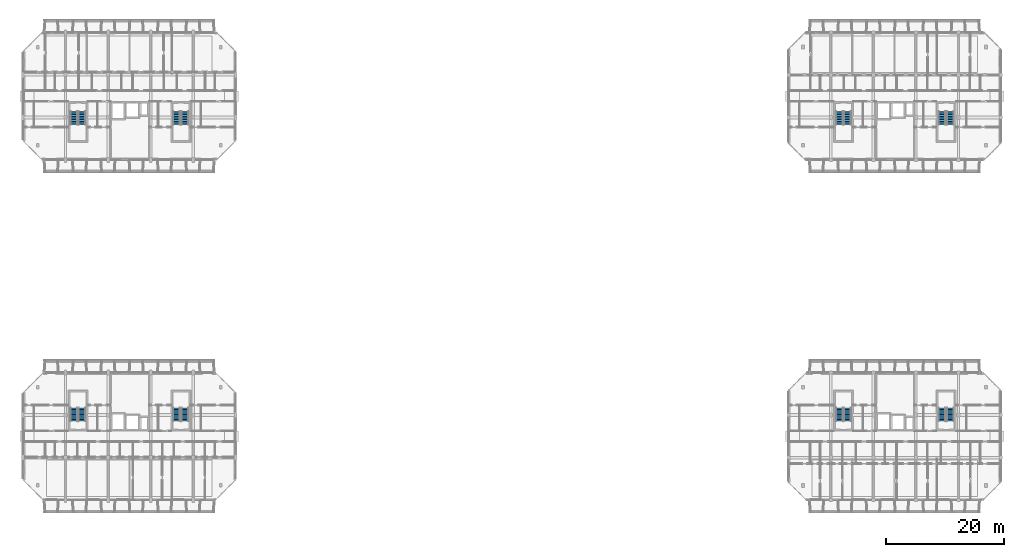
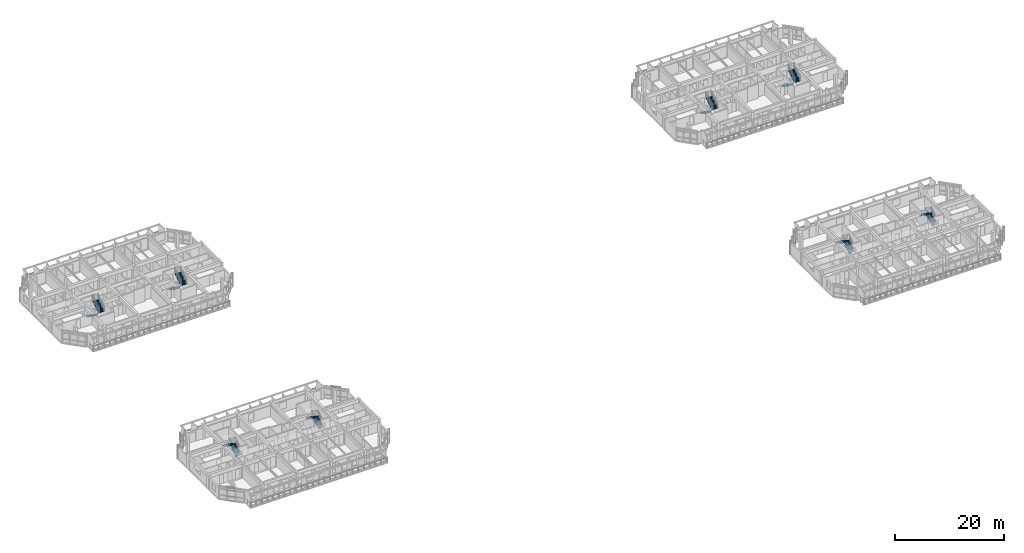
# One storey, part 30 of 45: 16 stair flights, 8 elements without a shape of their own.
"""IFC4 building model written with IfcOpenShell, lengths in metres."""

from ifc_helpers import new_model, si_unit, direction, frame, origin, place, context, subcontext, project, spatial, polyline, outline, extrude, material, type_object, element, aggregate, save


model = new_model("IFC4")

# Units and contexts
model_context = context("Model", 3, precision=1e-05, world=origin(), true_north=direction((0.0, 1.0)))
body_context = subcontext(model_context, "Body", "Model", "MODEL_VIEW")
ifc_project = project(units=[si_unit("LENGTHUNIT", "METRE"), si_unit("AREAUNIT", "SQUARE_METRE"), si_unit("VOLUMEUNIT", "CUBIC_METRE"), si_unit("PLANEANGLEUNIT", "RADIAN"), si_unit("MASSUNIT", "GRAM", prefix="KILO")], contexts=[model_context])

# Site, building, storey
site_placement = place(None, origin())
site = spatial("IfcSite", under=ifc_project, at=site_placement, CompositionType="ELEMENT")
building_placement = place(site_placement, origin())
building = spatial("IfcBuilding", under=site, at=building_placement, Name="Ochrevale Crest", CompositionType="ELEMENT")
storey_placement = place(building_placement, frame((0.0, 0.0, 18.14990234375)))
storey = spatial("IfcBuildingStorey", under=building, at=storey_placement, Name="L05", CompositionType="ELEMENT", Elevation=18.14990234375)

# Stair, stair flights
ifc_material = material(Name="Precast concrete C40/50", Category="concrete")
stair_type = type_object("IfcStairType", Name="ST-CORE-DOG", PredefinedType="HALF_TURN_STAIR", material=ifc_material)
stair_1_placement = place(storey_placement, origin())
stair_1 = element("IfcStair", 1, at=stair_1_placement, inside=storey, type_object=stair_type, Name="L05 Block A Fire Stair 1", PredefinedType="HALF_TURN_STAIR")
stair_flight_type = type_object("IfcStairFlightType", Name="SFL-CORE-125", PredefinedType="STRAIGHT", material=ifc_material)
stair_flight_1_placement = place(storey_placement, frame((10.02490234375, 27.77490234375, 0.0), z_axis=(0.0, 0.0, 1.0), x_axis=(0.0, 1.0, 0.0)))
stair_flight_1 = element("IfcStairFlight", 2, at=stair_flight_1_placement, type_object=stair_flight_type, Name="ST-A1 flight 1", NumberOfRisers=9, NumberOfTreads=8, PredefinedType="STRAIGHT", RiserHeight=0.175, TreadLength=0.28, context=body_context, shape_type="SweptSolid", body=[
    extrude(outline(polyline([(0.0, 0.0), (0.0, 0.175048828125), (0.280029296875, 0.175048828125), (0.280029296875, 0.35009765625), (0.56005859375, 0.35009765625), (0.56005859375, 0.52490234375), (0.840087890625, 0.52490234375), (0.840087890625, 0.699951171875), (1.1201171875, 0.699951171875), (1.1201171875, 0.875), (1.39990234375, 0.875), (1.39990234375, 1.050048828125), (1.679931640625, 1.050048828125), (1.679931640625, 1.22509765625), (1.9599609375, 1.22509765625), (1.9599609375, 1.39990234375), (2.239990234375, 1.39990234375), (2.239990234375, 1.574951171875), (2.239990234375, 1.22314453125), (0.28271484375, 0.0), (0.0, 0.0)])), frame((0.0, 0.625, 0.0), z_axis=(0.0, -1.0, 0.0), x_axis=(1.0, 0.0, 0.0)), (0.0, 0.0, 1.0), 1.25),
])
stair_flight_2_placement = place(storey_placement, frame((8.625, 30.014892578125, 1.5751953125), z_axis=(0.0, 0.0, 1.0), x_axis=(0.0, -1.0, 0.0)))
stair_flight_2 = element("IfcStairFlight", 3, at=stair_flight_2_placement, type_object=stair_flight_type, Name="ST-A1 flight 2", NumberOfRisers=9, NumberOfTreads=8, PredefinedType="STRAIGHT", RiserHeight=0.175, TreadLength=0.28, context=body_context, shape_type="SweptSolid", body=[
    extrude(outline(polyline([(0.0, 0.0), (0.0, 0.175048828125), (0.280029296875, 0.175048828125), (0.280029296875, 0.35009765625), (0.56005859375, 0.35009765625), (0.56005859375, 0.52490234375), (0.840087890625, 0.52490234375), (0.840087890625, 0.699951171875), (1.1201171875, 0.699951171875), (1.1201171875, 0.875), (1.39990234375, 0.875), (1.39990234375, 1.050048828125), (1.679931640625, 1.050048828125), (1.679931640625, 1.22509765625), (1.9599609375, 1.22509765625), (1.9599609375, 1.39990234375), (2.239990234375, 1.39990234375), (2.239990234375, 1.574951171875), (2.239990234375, 1.22314453125), (0.28271484375, 0.0), (0.0, 0.0)])), frame((0.0, 0.625, 0.0), z_axis=(0.0, -1.0, 0.0), x_axis=(1.0, 0.0, 0.0)), (0.0, 0.0, 1.0), 1.25),
])
aggregate(stair_1, [stair_flight_1, stair_flight_2])

stair_2_placement = place(storey_placement, origin())
stair_2 = element("IfcStair", 4, at=stair_2_placement, inside=storey, type_object=stair_type, Name="L05 Block A Fire Stair 2", PredefinedType="HALF_TURN_STAIR")
stair_flight_3_placement = place(storey_placement, frame((27.425048828125, 27.77490234375, 0.0), z_axis=(0.0, 0.0, 1.0), x_axis=(0.0, 1.0, 0.0)))
stair_flight_3 = element("IfcStairFlight", 5, at=stair_flight_3_placement, type_object=stair_flight_type, Name="ST-A2 flight 1", NumberOfRisers=9, NumberOfTreads=8, PredefinedType="STRAIGHT", RiserHeight=0.175, TreadLength=0.28, context=body_context, shape_type="SweptSolid", body=[
    extrude(outline(polyline([(0.0, 0.0), (0.0, 0.175048828125), (0.280029296875, 0.175048828125), (0.280029296875, 0.35009765625), (0.56005859375, 0.35009765625), (0.56005859375, 0.52490234375), (0.840087890625, 0.52490234375), (0.840087890625, 0.699951171875), (1.1201171875, 0.699951171875), (1.1201171875, 0.875), (1.39990234375, 0.875), (1.39990234375, 1.050048828125), (1.679931640625, 1.050048828125), (1.679931640625, 1.22509765625), (1.9599609375, 1.22509765625), (1.9599609375, 1.39990234375), (2.239990234375, 1.39990234375), (2.239990234375, 1.574951171875), (2.239990234375, 1.22314453125), (0.28271484375, 0.0), (0.0, 0.0)])), frame((0.0, 0.625, 0.0), z_axis=(0.0, -1.0, 0.0), x_axis=(1.0, 0.0, 0.0)), (0.0, 0.0, 1.0), 1.25),
])
stair_flight_4_placement = place(storey_placement, frame((26.02490234375, 30.014892578125, 1.5751953125), z_axis=(0.0, 0.0, 1.0), x_axis=(0.0, -1.0, 0.0)))
stair_flight_4 = element("IfcStairFlight", 6, at=stair_flight_4_placement, type_object=stair_flight_type, Name="ST-A2 flight 2", NumberOfRisers=9, NumberOfTreads=8, PredefinedType="STRAIGHT", RiserHeight=0.175, TreadLength=0.28, context=body_context, shape_type="SweptSolid", body=[
    extrude(outline(polyline([(0.0, 0.0), (0.0, 0.175048828125), (0.280029296875, 0.175048828125), (0.280029296875, 0.35009765625), (0.56005859375, 0.35009765625), (0.56005859375, 0.52490234375), (0.840087890625, 0.52490234375), (0.840087890625, 0.699951171875), (1.1201171875, 0.699951171875), (1.1201171875, 0.875), (1.39990234375, 0.875), (1.39990234375, 1.050048828125), (1.679931640625, 1.050048828125), (1.679931640625, 1.22509765625), (1.9599609375, 1.22509765625), (1.9599609375, 1.39990234375), (2.239990234375, 1.39990234375), (2.239990234375, 1.574951171875), (2.239990234375, 1.22314453125), (0.28271484375, 0.0), (0.0, 0.0)])), frame((0.0, 0.625, 0.0), z_axis=(0.0, -1.0, 0.0), x_axis=(1.0, 0.0, 0.0)), (0.0, 0.0, 1.0), 1.25),
])
aggregate(stair_2, [stair_flight_3, stair_flight_4])

stair_3_placement = place(storey_placement, origin())
stair_3 = element("IfcStair", 7, at=stair_3_placement, inside=storey, type_object=stair_type, Name="L05 Block B Fire Stair 1", PredefinedType="HALF_TURN_STAIR")
stair_flight_5_placement = place(storey_placement, frame((8.625, 80.22509765625, 0.0), z_axis=(0.0, 0.0, 1.0), x_axis=(0.0, -1.0, 0.0)))
stair_flight_5 = element("IfcStairFlight", 8, at=stair_flight_5_placement, type_object=stair_flight_type, Name="ST-B1 flight 1", NumberOfRisers=9, NumberOfTreads=8, PredefinedType="STRAIGHT", RiserHeight=0.175, TreadLength=0.28, context=body_context, shape_type="SweptSolid", body=[
    extrude(outline(polyline([(0.0, 0.0), (0.0, 0.175048828125), (0.280029296875, 0.175048828125), (0.280029296875, 0.35009765625), (0.56005859375, 0.35009765625), (0.56005859375, 0.52490234375), (0.840087890625, 0.52490234375), (0.840087890625, 0.699951171875), (1.1201171875, 0.699951171875), (1.1201171875, 0.875), (1.39990234375, 0.875), (1.39990234375, 1.050048828125), (1.679931640625, 1.050048828125), (1.679931640625, 1.22509765625), (1.9599609375, 1.22509765625), (1.9599609375, 1.39990234375), (2.239990234375, 1.39990234375), (2.239990234375, 1.574951171875), (2.239990234375, 1.22314453125), (0.28271484375, 0.0), (0.0, 0.0)])), frame((0.0, 0.625, 0.0), z_axis=(0.0, -1.0, 0.0), x_axis=(1.0, 0.0, 0.0)), (0.0, 0.0, 1.0), 1.25),
])
stair_flight_6_placement = place(storey_placement, frame((10.02490234375, 77.985107421875, 1.5751953125), z_axis=(0.0, 0.0, 1.0), x_axis=(0.0, 1.0, 0.0)))
stair_flight_6 = element("IfcStairFlight", 9, at=stair_flight_6_placement, type_object=stair_flight_type, Name="ST-B1 flight 2", NumberOfRisers=9, NumberOfTreads=8, PredefinedType="STRAIGHT", RiserHeight=0.175, TreadLength=0.28, context=body_context, shape_type="SweptSolid", body=[
    extrude(outline(polyline([(0.0, 0.0), (0.0, 0.175048828125), (0.280029296875, 0.175048828125), (0.280029296875, 0.35009765625), (0.56005859375, 0.35009765625), (0.56005859375, 0.52490234375), (0.840087890625, 0.52490234375), (0.840087890625, 0.699951171875), (1.1201171875, 0.699951171875), (1.1201171875, 0.875), (1.39990234375, 0.875), (1.39990234375, 1.050048828125), (1.679931640625, 1.050048828125), (1.679931640625, 1.22509765625), (1.9599609375, 1.22509765625), (1.9599609375, 1.39990234375), (2.239990234375, 1.39990234375), (2.239990234375, 1.574951171875), (2.239990234375, 1.22314453125), (0.28271484375, 0.0), (0.0, 0.0)])), frame((0.0, 0.625, 0.0), z_axis=(0.0, -1.0, 0.0), x_axis=(1.0, 0.0, 0.0)), (0.0, 0.0, 1.0), 1.25),
])
aggregate(stair_3, [stair_flight_5, stair_flight_6])

stair_4_placement = place(storey_placement, origin())
stair_4 = element("IfcStair", 10, at=stair_4_placement, inside=storey, type_object=stair_type, Name="L05 Block B Fire Stair 2", PredefinedType="HALF_TURN_STAIR")
stair_flight_7_placement = place(storey_placement, frame((26.02490234375, 80.22509765625, 0.0), z_axis=(0.0, 0.0, 1.0), x_axis=(0.0, -1.0, 0.0)))
stair_flight_7 = element("IfcStairFlight", 11, at=stair_flight_7_placement, type_object=stair_flight_type, Name="ST-B2 flight 1", NumberOfRisers=9, NumberOfTreads=8, PredefinedType="STRAIGHT", RiserHeight=0.175, TreadLength=0.28, context=body_context, shape_type="SweptSolid", body=[
    extrude(outline(polyline([(0.0, 0.0), (0.0, 0.175048828125), (0.280029296875, 0.175048828125), (0.280029296875, 0.35009765625), (0.56005859375, 0.35009765625), (0.56005859375, 0.52490234375), (0.840087890625, 0.52490234375), (0.840087890625, 0.699951171875), (1.1201171875, 0.699951171875), (1.1201171875, 0.875), (1.39990234375, 0.875), (1.39990234375, 1.050048828125), (1.679931640625, 1.050048828125), (1.679931640625, 1.22509765625), (1.9599609375, 1.22509765625), (1.9599609375, 1.39990234375), (2.239990234375, 1.39990234375), (2.239990234375, 1.574951171875), (2.239990234375, 1.22314453125), (0.28271484375, 0.0), (0.0, 0.0)])), frame((0.0, 0.625, 0.0), z_axis=(0.0, -1.0, 0.0), x_axis=(1.0, 0.0, 0.0)), (0.0, 0.0, 1.0), 1.25),
])
stair_flight_8_placement = place(storey_placement, frame((27.425048828125, 77.985107421875, 1.5751953125), z_axis=(0.0, 0.0, 1.0), x_axis=(0.0, 1.0, 0.0)))
stair_flight_8 = element("IfcStairFlight", 12, at=stair_flight_8_placement, type_object=stair_flight_type, Name="ST-B2 flight 2", NumberOfRisers=9, NumberOfTreads=8, PredefinedType="STRAIGHT", RiserHeight=0.175, TreadLength=0.28, context=body_context, shape_type="SweptSolid", body=[
    extrude(outline(polyline([(0.0, 0.0), (0.0, 0.175048828125), (0.280029296875, 0.175048828125), (0.280029296875, 0.35009765625), (0.56005859375, 0.35009765625), (0.56005859375, 0.52490234375), (0.840087890625, 0.52490234375), (0.840087890625, 0.699951171875), (1.1201171875, 0.699951171875), (1.1201171875, 0.875), (1.39990234375, 0.875), (1.39990234375, 1.050048828125), (1.679931640625, 1.050048828125), (1.679931640625, 1.22509765625), (1.9599609375, 1.22509765625), (1.9599609375, 1.39990234375), (2.239990234375, 1.39990234375), (2.239990234375, 1.574951171875), (2.239990234375, 1.22314453125), (0.28271484375, 0.0), (0.0, 0.0)])), frame((0.0, 0.625, 0.0), z_axis=(0.0, -1.0, 0.0), x_axis=(1.0, 0.0, 0.0)), (0.0, 0.0, 1.0), 1.25),
])
aggregate(stair_4, [stair_flight_7, stair_flight_8])

stair_5_placement = place(storey_placement, origin())
stair_5 = element("IfcStair", 13, at=stair_5_placement, inside=storey, type_object=stair_type, Name="L05 Block C Fire Stair 1", PredefinedType="HALF_TURN_STAIR")
stair_flight_9_placement = place(storey_placement, frame((139.625, 27.77490234375, 0.0), z_axis=(0.0, 0.0, 1.0), x_axis=(0.0, 1.0, 0.0)))
stair_flight_9 = element("IfcStairFlight", 14, at=stair_flight_9_placement, type_object=stair_flight_type, Name="ST-C1 flight 1", NumberOfRisers=9, NumberOfTreads=8, PredefinedType="STRAIGHT", RiserHeight=0.175, TreadLength=0.28, context=body_context, shape_type="SweptSolid", body=[
    extrude(outline(polyline([(0.0, 0.0), (0.0, 0.175048828125), (0.280029296875, 0.175048828125), (0.280029296875, 0.35009765625), (0.56005859375, 0.35009765625), (0.56005859375, 0.52490234375), (0.840087890625, 0.52490234375), (0.840087890625, 0.699951171875), (1.1201171875, 0.699951171875), (1.1201171875, 0.875), (1.39990234375, 0.875), (1.39990234375, 1.050048828125), (1.679931640625, 1.050048828125), (1.679931640625, 1.22509765625), (1.9599609375, 1.22509765625), (1.9599609375, 1.39990234375), (2.239990234375, 1.39990234375), (2.239990234375, 1.574951171875), (2.239990234375, 1.22314453125), (0.28271484375, 0.0), (0.0, 0.0)])), frame((0.0, 0.625, 0.0), z_axis=(0.0, -1.0, 0.0), x_axis=(1.0, 0.0, 0.0)), (0.0, 0.0, 1.0), 1.25),
])
stair_flight_10_placement = place(storey_placement, frame((138.22509765625, 30.014892578125, 1.5751953125), z_axis=(0.0, 0.0, 1.0), x_axis=(0.0, -1.0, 0.0)))
stair_flight_10 = element("IfcStairFlight", 15, at=stair_flight_10_placement, type_object=stair_flight_type, Name="ST-C1 flight 2", NumberOfRisers=9, NumberOfTreads=8, PredefinedType="STRAIGHT", RiserHeight=0.175, TreadLength=0.28, context=body_context, shape_type="SweptSolid", body=[
    extrude(outline(polyline([(0.0, 0.0), (0.0, 0.175048828125), (0.280029296875, 0.175048828125), (0.280029296875, 0.35009765625), (0.56005859375, 0.35009765625), (0.56005859375, 0.52490234375), (0.840087890625, 0.52490234375), (0.840087890625, 0.699951171875), (1.1201171875, 0.699951171875), (1.1201171875, 0.875), (1.39990234375, 0.875), (1.39990234375, 1.050048828125), (1.679931640625, 1.050048828125), (1.679931640625, 1.22509765625), (1.9599609375, 1.22509765625), (1.9599609375, 1.39990234375), (2.239990234375, 1.39990234375), (2.239990234375, 1.574951171875), (2.239990234375, 1.22314453125), (0.28271484375, 0.0), (0.0, 0.0)])), frame((0.0, 0.625, 0.0), z_axis=(0.0, -1.0, 0.0), x_axis=(1.0, 0.0, 0.0)), (0.0, 0.0, 1.0), 1.25),
])
aggregate(stair_5, [stair_flight_9, stair_flight_10])

stair_6_placement = place(storey_placement, origin())
stair_6 = element("IfcStair", 16, at=stair_6_placement, inside=storey, type_object=stair_type, Name="L05 Block C Fire Stair 2", PredefinedType="HALF_TURN_STAIR")
stair_flight_11_placement = place(storey_placement, frame((157.02490234375, 27.77490234375, 0.0), z_axis=(0.0, 0.0, 1.0), x_axis=(0.0, 1.0, 0.0)))
stair_flight_11 = element("IfcStairFlight", 17, at=stair_flight_11_placement, type_object=stair_flight_type, Name="ST-C2 flight 1", NumberOfRisers=9, NumberOfTreads=8, PredefinedType="STRAIGHT", RiserHeight=0.175, TreadLength=0.28, context=body_context, shape_type="SweptSolid", body=[
    extrude(outline(polyline([(0.0, 0.0), (0.0, 0.175048828125), (0.280029296875, 0.175048828125), (0.280029296875, 0.35009765625), (0.56005859375, 0.35009765625), (0.56005859375, 0.52490234375), (0.840087890625, 0.52490234375), (0.840087890625, 0.699951171875), (1.1201171875, 0.699951171875), (1.1201171875, 0.875), (1.39990234375, 0.875), (1.39990234375, 1.050048828125), (1.679931640625, 1.050048828125), (1.679931640625, 1.22509765625), (1.9599609375, 1.22509765625), (1.9599609375, 1.39990234375), (2.239990234375, 1.39990234375), (2.239990234375, 1.574951171875), (2.239990234375, 1.22314453125), (0.28271484375, 0.0), (0.0, 0.0)])), frame((0.0, 0.625, 0.0), z_axis=(0.0, -1.0, 0.0), x_axis=(1.0, 0.0, 0.0)), (0.0, 0.0, 1.0), 1.25),
])
stair_flight_12_placement = place(storey_placement, frame((155.625, 30.014892578125, 1.5751953125), z_axis=(0.0, 0.0, 1.0), x_axis=(0.0, -1.0, 0.0)))
stair_flight_12 = element("IfcStairFlight", 18, at=stair_flight_12_placement, type_object=stair_flight_type, Name="ST-C2 flight 2", NumberOfRisers=9, NumberOfTreads=8, PredefinedType="STRAIGHT", RiserHeight=0.175, TreadLength=0.28, context=body_context, shape_type="SweptSolid", body=[
    extrude(outline(polyline([(0.0, 0.0), (0.0, 0.175048828125), (0.280029296875, 0.175048828125), (0.280029296875, 0.35009765625), (0.56005859375, 0.35009765625), (0.56005859375, 0.52490234375), (0.840087890625, 0.52490234375), (0.840087890625, 0.699951171875), (1.1201171875, 0.699951171875), (1.1201171875, 0.875), (1.39990234375, 0.875), (1.39990234375, 1.050048828125), (1.679931640625, 1.050048828125), (1.679931640625, 1.22509765625), (1.9599609375, 1.22509765625), (1.9599609375, 1.39990234375), (2.239990234375, 1.39990234375), (2.239990234375, 1.574951171875), (2.239990234375, 1.22314453125), (0.28271484375, 0.0), (0.0, 0.0)])), frame((0.0, 0.625, 0.0), z_axis=(0.0, -1.0, 0.0), x_axis=(1.0, 0.0, 0.0)), (0.0, 0.0, 1.0), 1.25),
])
aggregate(stair_6, [stair_flight_11, stair_flight_12])

stair_7_placement = place(storey_placement, origin())
stair_7 = element("IfcStair", 19, at=stair_7_placement, inside=storey, type_object=stair_type, Name="L05 Block D Fire Stair 1", PredefinedType="HALF_TURN_STAIR")
stair_flight_13_placement = place(storey_placement, frame((138.22509765625, 80.22509765625, 0.0), z_axis=(0.0, 0.0, 1.0), x_axis=(0.0, -1.0, 0.0)))
stair_flight_13 = element("IfcStairFlight", 20, at=stair_flight_13_placement, type_object=stair_flight_type, Name="ST-D1 flight 1", NumberOfRisers=9, NumberOfTreads=8, PredefinedType="STRAIGHT", RiserHeight=0.175, TreadLength=0.28, context=body_context, shape_type="SweptSolid", body=[
    extrude(outline(polyline([(0.0, 0.0), (0.0, 0.175048828125), (0.280029296875, 0.175048828125), (0.280029296875, 0.35009765625), (0.56005859375, 0.35009765625), (0.56005859375, 0.52490234375), (0.840087890625, 0.52490234375), (0.840087890625, 0.699951171875), (1.1201171875, 0.699951171875), (1.1201171875, 0.875), (1.39990234375, 0.875), (1.39990234375, 1.050048828125), (1.679931640625, 1.050048828125), (1.679931640625, 1.22509765625), (1.9599609375, 1.22509765625), (1.9599609375, 1.39990234375), (2.239990234375, 1.39990234375), (2.239990234375, 1.574951171875), (2.239990234375, 1.22314453125), (0.28271484375, 0.0), (0.0, 0.0)])), frame((0.0, 0.625, 0.0), z_axis=(0.0, -1.0, 0.0), x_axis=(1.0, 0.0, 0.0)), (0.0, 0.0, 1.0), 1.25),
])
stair_flight_14_placement = place(storey_placement, frame((139.625, 77.985107421875, 1.5751953125), z_axis=(0.0, 0.0, 1.0), x_axis=(0.0, 1.0, 0.0)))
stair_flight_14 = element("IfcStairFlight", 21, at=stair_flight_14_placement, type_object=stair_flight_type, Name="ST-D1 flight 2", NumberOfRisers=9, NumberOfTreads=8, PredefinedType="STRAIGHT", RiserHeight=0.175, TreadLength=0.28, context=body_context, shape_type="SweptSolid", body=[
    extrude(outline(polyline([(0.0, 0.0), (0.0, 0.175048828125), (0.280029296875, 0.175048828125), (0.280029296875, 0.35009765625), (0.56005859375, 0.35009765625), (0.56005859375, 0.52490234375), (0.840087890625, 0.52490234375), (0.840087890625, 0.699951171875), (1.1201171875, 0.699951171875), (1.1201171875, 0.875), (1.39990234375, 0.875), (1.39990234375, 1.050048828125), (1.679931640625, 1.050048828125), (1.679931640625, 1.22509765625), (1.9599609375, 1.22509765625), (1.9599609375, 1.39990234375), (2.239990234375, 1.39990234375), (2.239990234375, 1.574951171875), (2.239990234375, 1.22314453125), (0.28271484375, 0.0), (0.0, 0.0)])), frame((0.0, 0.625, 0.0), z_axis=(0.0, -1.0, 0.0), x_axis=(1.0, 0.0, 0.0)), (0.0, 0.0, 1.0), 1.25),
])
aggregate(stair_7, [stair_flight_13, stair_flight_14])

stair_8_placement = place(storey_placement, origin())
stair_8 = element("IfcStair", 22, at=stair_8_placement, inside=storey, type_object=stair_type, Name="L05 Block D Fire Stair 2", PredefinedType="HALF_TURN_STAIR")
stair_flight_15_placement = place(storey_placement, frame((155.625, 80.22509765625, 0.0), z_axis=(0.0, 0.0, 1.0), x_axis=(0.0, -1.0, 0.0)))
stair_flight_15 = element("IfcStairFlight", 23, at=stair_flight_15_placement, type_object=stair_flight_type, Name="ST-D2 flight 1", NumberOfRisers=9, NumberOfTreads=8, PredefinedType="STRAIGHT", RiserHeight=0.175, TreadLength=0.28, context=body_context, shape_type="SweptSolid", body=[
    extrude(outline(polyline([(0.0, 0.0), (0.0, 0.175048828125), (0.280029296875, 0.175048828125), (0.280029296875, 0.35009765625), (0.56005859375, 0.35009765625), (0.56005859375, 0.52490234375), (0.840087890625, 0.52490234375), (0.840087890625, 0.699951171875), (1.1201171875, 0.699951171875), (1.1201171875, 0.875), (1.39990234375, 0.875), (1.39990234375, 1.050048828125), (1.679931640625, 1.050048828125), (1.679931640625, 1.22509765625), (1.9599609375, 1.22509765625), (1.9599609375, 1.39990234375), (2.239990234375, 1.39990234375), (2.239990234375, 1.574951171875), (2.239990234375, 1.22314453125), (0.28271484375, 0.0), (0.0, 0.0)])), frame((0.0, 0.625, 0.0), z_axis=(0.0, -1.0, 0.0), x_axis=(1.0, 0.0, 0.0)), (0.0, 0.0, 1.0), 1.25),
])
stair_flight_16_placement = place(storey_placement, frame((157.02490234375, 77.985107421875, 1.5751953125), z_axis=(0.0, 0.0, 1.0), x_axis=(0.0, 1.0, 0.0)))
stair_flight_16 = element("IfcStairFlight", 24, at=stair_flight_16_placement, type_object=stair_flight_type, Name="ST-D2 flight 2", NumberOfRisers=9, NumberOfTreads=8, PredefinedType="STRAIGHT", RiserHeight=0.175, TreadLength=0.28, context=body_context, shape_type="SweptSolid", body=[
    extrude(outline(polyline([(0.0, 0.0), (0.0, 0.175048828125), (0.280029296875, 0.175048828125), (0.280029296875, 0.35009765625), (0.56005859375, 0.35009765625), (0.56005859375, 0.52490234375), (0.840087890625, 0.52490234375), (0.840087890625, 0.699951171875), (1.1201171875, 0.699951171875), (1.1201171875, 0.875), (1.39990234375, 0.875), (1.39990234375, 1.050048828125), (1.679931640625, 1.050048828125), (1.679931640625, 1.22509765625), (1.9599609375, 1.22509765625), (1.9599609375, 1.39990234375), (2.239990234375, 1.39990234375), (2.239990234375, 1.574951171875), (2.239990234375, 1.22314453125), (0.28271484375, 0.0), (0.0, 0.0)])), frame((0.0, 0.625, 0.0), z_axis=(0.0, -1.0, 0.0), x_axis=(1.0, 0.0, 0.0)), (0.0, 0.0, 1.0), 1.25),
])
aggregate(stair_8, [stair_flight_15, stair_flight_16])

save(model, "model.ifc")
